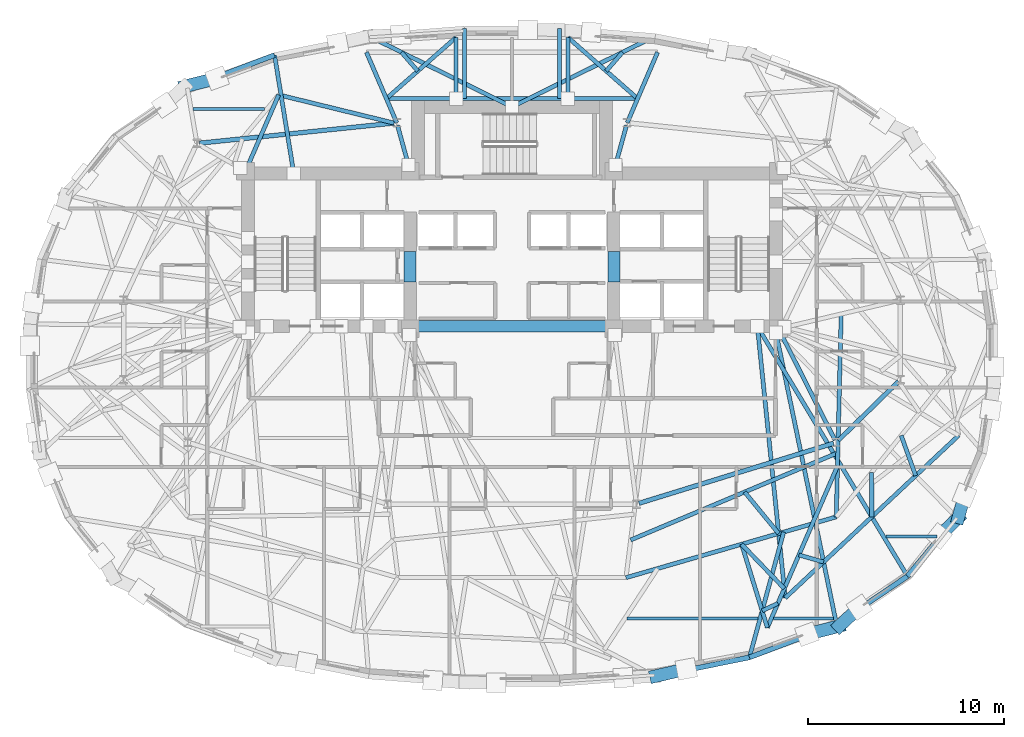
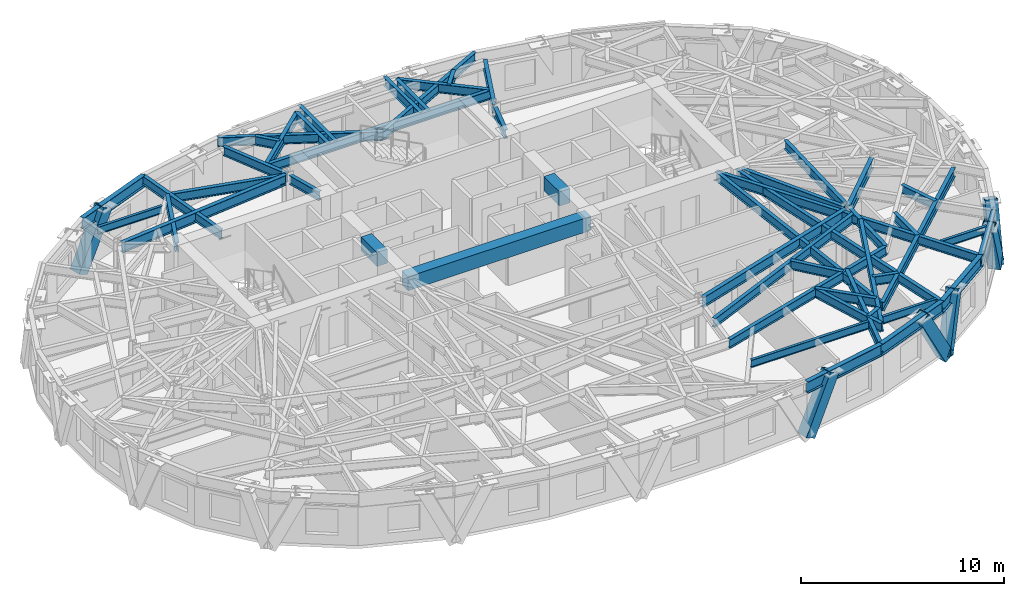
# One storey, part 3 of 15: 50 beams, 6 members.
"""IFC4 building model written with IfcOpenShell, lengths in metres."""

from ifc_helpers import new_model, si_unit, direction, frame, origin, origin_2d, place, context, subcontext, project, spatial, rectangle, hollow_rectangle, i_section, extrude, material, material_profile, profile_set, type_object, element, save


model = new_model("IFC4")

# Units and contexts
model_context = context("Model", 3, precision=1e-05, world=origin(), true_north=direction((0.0, 1.0)))
body_context = subcontext(model_context, "Body", "Model", "MODEL_VIEW")
ifc_project = project(units=[si_unit("LENGTHUNIT", "METRE"), si_unit("AREAUNIT", "SQUARE_METRE"), si_unit("VOLUMEUNIT", "CUBIC_METRE"), si_unit("PLANEANGLEUNIT", "RADIAN"), si_unit("MASSUNIT", "GRAM", prefix="KILO")], contexts=[model_context])

# Site, building, storey
site_placement = place(None, origin())
site = spatial("IfcSite", under=ifc_project, at=site_placement, CompositionType="ELEMENT")
building_placement = place(site_placement, origin())
building = spatial("IfcBuilding", under=site, at=building_placement, Name="Keldmark Tower", CompositionType="ELEMENT")
storey_placement = place(building_placement, frame((0.0, 0.0, 147.0)))
storey = spatial("IfcBuildingStorey", under=building, at=storey_placement, Name="L39", CompositionType="ELEMENT", Elevation=147.0)

# Beams
ifc_material_1 = material(Name="Steel ASTM A992 Grade 50", Category="steel")
ifc_material_profile_1 = material_profile(ifc_material_1, i_section(OverallWidth=0.153076171875, OverallDepth=0.455078125, WebThickness=0.008056640625, FlangeThickness=0.01318359375, at=origin_2d()), Name="W18X40")
ifc_profile_set_1 = profile_set([ifc_material_profile_1], Name="Steel ASTM A992 Grade 50")
beam_type_1 = type_object("IfcBeamType", Name="Composite Floor Joist W18X40", PredefinedType="JOIST", material=ifc_profile_set_1)
beam_1_placement = place(storey_placement, frame((5.8759765625, -13.3798828125, 2.79248046875), z_axis=(1.0, 0.0, 0.0), x_axis=(0.0, 1.0, 0.0)))
element("IfcBeam", 1, at=beam_1_placement, inside=storey, type_object=beam_type_1, Name="L39 Composite Floor Joist J02", PredefinedType="JOIST", context=body_context, shape_type="SweptSolid", body=[
    extrude(i_section(OverallWidth=0.153076171875, OverallDepth=0.455078125, WebThickness=0.008056640625, FlangeThickness=0.01318359375, at=origin_2d()), origin(), (0.0, 0.0, 1.0), 6.68701171875),
])
beam_2_placement = place(storey_placement, frame((13.34326171875, -13.3798828125, 2.79248046875), z_axis=(1.0, 0.0, 0.0), x_axis=(0.0, 1.0, 0.0)))
element("IfcBeam", 2, at=beam_2_placement, inside=storey, type_object=beam_type_1, Name="L39 Composite Floor Joist J03", PredefinedType="JOIST", context=body_context, shape_type="SweptSolid", body=[
    extrude(i_section(OverallWidth=0.153076171875, OverallDepth=0.455078125, WebThickness=0.008056640625, FlangeThickness=0.01318359375, at=origin_2d()), origin(), (0.0, 0.0, 1.0), 3.060302734375),
])
beam_3_placement = place(storey_placement, frame((19.07861328125, -9.199951171875, 2.79248046875), z_axis=(1.0, 0.0, 0.0), x_axis=(0.0, 1.0, 0.0)))
element("IfcBeam", 3, at=beam_3_placement, inside=storey, type_object=beam_type_1, Name="L39 Composite Floor Joist J04", PredefinedType="JOIST", context=body_context, shape_type="SweptSolid", body=[
    extrude(i_section(OverallWidth=0.153076171875, OverallDepth=0.455078125, WebThickness=0.008056640625, FlangeThickness=0.01318359375, at=origin_2d()), origin(), (0.0, 0.0, 1.0), 2.624755859375),
])
beam_4_placement = place(storey_placement, frame((-16.28515625, 12.6201171875, 2.79248046875), z_axis=(1.0, 0.0, 0.0), x_axis=(0.0, 1.0, 0.0)))
element("IfcBeam", 4, at=beam_4_placement, inside=storey, type_object=beam_type_1, Name="L39 Composite Floor Joist J08", PredefinedType="JOIST", context=body_context, shape_type="SweptSolid", body=[
    extrude(i_section(OverallWidth=0.153076171875, OverallDepth=0.455078125, WebThickness=0.008056640625, FlangeThickness=0.01318359375, at=origin_2d()), origin(), (0.0, 0.0, 1.0), 3.6533203125),
])
ifc_material_2 = material(Name="Concrete C50/60", Category="concrete")
ifc_material_profile_2 = material_profile(ifc_material_2, rectangle(XDim=0.60009765625, YDim=0.85009765625, at=origin_2d()), Name="RCB600X850")
ifc_profile_set_2 = profile_set([ifc_material_profile_2], Name="Concrete C50/60")
beam_type_2 = type_object("IfcBeamType", Name="Core Coupling Beam RCB600X850", PredefinedType="USERDEFINED", material=ifc_profile_set_2)
for number, where, z_axis, x_axis, name in (
    (5, (-5.199951171875, 3.800048828125, 2.594970703125), (0.0, 1.0, 0.0), (-1.0, 0.0, 0.0), "L39 West Core Coupling Beam"),
    (6, (5.199951171875, 3.800048828125, 2.594970703125), (0.0, 1.0, 0.0), (-1.0, 0.0, 0.0), "L39 East Core Coupling Beam"),
):
    element("IfcBeam", number, at=place(storey_placement, frame(where, z_axis=z_axis, x_axis=x_axis)), inside=storey, type_object=beam_type_2, Name=name, ObjectType="COUPLING BEAM", PredefinedType="USERDEFINED", context=body_context, shape_type="SweptSolid", body=[
        extrude(rectangle(XDim=0.60009765625, YDim=0.85009765625, at=origin_2d()), origin(), (0.0, 0.0, 1.0), 1.550048828125),
    ])
beam_5_placement = place(storey_placement, frame((-5.199951171875, 1.52490234375, 2.594970703125), z_axis=(1.0, 0.0, 0.0), x_axis=(0.0, 1.0, 0.0)))
element("IfcBeam", 7, at=beam_5_placement, inside=storey, type_object=beam_type_2, Name="L39 Central South Core Coupling Beam", ObjectType="COUPLING BEAM", PredefinedType="USERDEFINED", context=body_context, shape_type="SweptSolid", body=[
    extrude(rectangle(XDim=0.60009765625, YDim=0.85009765625, at=origin_2d()), origin(), (0.0, 0.0, 1.0), 10.39990234375),
])

# Members
ifc_material_3 = material(Name="Steel ASTM A572 Grade 50", Category="steel")
ifc_material_profile_3 = material_profile(ifc_material_3, hollow_rectangle(XDim=0.64990234375, YDim=0.64990234375, WallThickness=0.0400390625, at=origin_2d()), Name="BOX650X650X40")
ifc_profile_set_3 = profile_set([ifc_material_profile_3], Name="Steel ASTM A572 Grade 50")
member_type = type_object("IfcMemberType", Name="Diagrid Zone 3 Brace BOX650X650X40", PredefinedType="BRACE", material=ifc_profile_set_3)
member_1_placement = place(storey_placement, frame((-16.706787109375, 13.769287109375, -0.260009765625), z_axis=(0.460231661127, 0.117352614434, 0.880008626084), x_axis=(-0.247080138115, 0.968995049187, 0.0)))
element("IfcMember", 8, at=member_1_placement, inside=storey, type_object=member_type, Name="L39 Perimeter Diagrid Brace 06A", PredefinedType="BRACE", context=body_context, shape_type="SweptSolid", body=[
    extrude(hollow_rectangle(XDim=0.64990234375, YDim=0.64990234375, WallThickness=0.0400390625, at=origin_2d()), origin(), (0.0, 0.0, 1.0), 3.5908203125),
])
member_2_placement = place(storey_placement, frame((7.316162109375, -16.32958984375, -0.260009765625), z_axis=(0.445328410974, 0.103619077881, 0.889351276537), x_axis=(-0.226626224402, 0.973981803944, 0.0)))
element("IfcMember", 9, at=member_2_placement, inside=storey, type_object=member_type, Name="L39 Perimeter Diagrid Brace 13B", PredefinedType="BRACE", context=body_context, shape_type="SweptSolid", body=[
    extrude(hollow_rectangle(XDim=0.64990234375, YDim=0.64990234375, WallThickness=0.0400390625, at=origin_2d()), origin(), (0.0, 0.0, 1.0), 3.552978515625),
])
member_3_placement = place(storey_placement, frame((16.706787109375, -13.769287109375, -0.260009765625), z_axis=(-0.460231661127, -0.117352614434, 0.880008626084), x_axis=(0.247080138115, -0.968995049187, 0.0)))
element("IfcMember", 10, at=member_3_placement, inside=storey, type_object=member_type, Name="L39 Perimeter Diagrid Brace 14A", PredefinedType="BRACE", context=body_context, shape_type="SweptSolid", body=[
    extrude(hollow_rectangle(XDim=0.64990234375, YDim=0.64990234375, WallThickness=0.0400390625, at=origin_2d()), origin(), (0.0, 0.0, 1.0), 3.5908203125),
])
member_4_placement = place(storey_placement, frame((16.697021484375, -13.77587890625, -0.260009765625), z_axis=(0.299184328214, 0.277103523043, 0.913073039394), x_axis=(-0.679514962845, 0.733661649039, 0.0)))
element("IfcMember", 11, at=member_4_placement, inside=storey, type_object=member_type, Name="L39 Perimeter Diagrid Brace 14B", PredefinedType="BRACE", context=body_context, shape_type="SweptSolid", body=[
    extrude(hollow_rectangle(XDim=0.64990234375, YDim=0.64990234375, WallThickness=0.0400390625, at=origin_2d()), origin(), (0.0, 0.0, 1.0), 3.460693359375),
])
member_5_placement = place(storey_placement, frame((22.7861328125, -8.234375, -0.260009765625), z_axis=(-0.287259536815, -0.274853214272, 0.91757161525), x_axis=(0.691331951353, -0.722537288337, 0.0)))
element("IfcMember", 12, at=member_5_placement, inside=storey, type_object=member_type, Name="L39 Perimeter Diagrid Brace 15A", PredefinedType="BRACE", context=body_context, shape_type="SweptSolid", body=[
    extrude(hollow_rectangle(XDim=0.64990234375, YDim=0.64990234375, WallThickness=0.0400390625, at=origin_2d()), origin(), (0.0, 0.0, 1.0), 3.44384765625),
])
member_6_placement = place(storey_placement, frame((22.779541015625, -8.244140625, -0.260009765625), z_axis=(0.094890003836, 0.338696560948, 0.936098566805), x_axis=(-0.962923433735, 0.269774833453, 0.0)))
element("IfcMember", 13, at=member_6_placement, inside=storey, type_object=member_type, Name="L39 Perimeter Diagrid Brace 15B", PredefinedType="BRACE", context=body_context, shape_type="SweptSolid", body=[
    extrude(hollow_rectangle(XDim=0.64990234375, YDim=0.64990234375, WallThickness=0.0400390625, at=origin_2d()), origin(), (0.0, 0.0, 1.0), 3.375732421875),
])

# Beams
ifc_material_4 = material(Name="Steel ASTM A992 Grade 50", Category="steel")
ifc_material_profile_4 = material_profile(ifc_material_4, i_section(OverallWidth=0.22900390625, OverallDepth=0.612060546875, WebThickness=0.011962890625, FlangeThickness=0.01953125, at=origin_2d()), Name="W24X84")
ifc_profile_set_4 = profile_set([ifc_material_profile_4], Name="Steel ASTM A992 Grade 50")
beam_type_3 = type_object("IfcBeamType", Name="Primary Floor Girder W24X84", PredefinedType="BEAM", material=ifc_profile_set_4)
beam_6_placement = place(storey_placement, frame((-6.01953125, 11.90087890625, 2.714111328125), z_axis=(-0.994702930931, -0.102791435423, 0.0), x_axis=(0.102791435423, -0.994702930931, 0.0)))
element("IfcBeam", 14, at=beam_6_placement, inside=storey, type_object=beam_type_3, Name="L39 Floor Ring Girder FG-R04", PredefinedType="BEAM", context=body_context, shape_type="SweptSolid", body=[
    extrude(i_section(OverallWidth=0.22900390625, OverallDepth=0.612060546875, WebThickness=0.011962890625, FlangeThickness=0.01953125, at=origin_2d()), origin(), (0.0, 0.0, 1.0), 9.975341796875),
])
beam_7_placement = place(storey_placement, frame((6.485107421875, -7.5048828125, 2.714111328125), z_axis=(0.955494563145, 0.295008711398, 0.0), x_axis=(-0.295008711398, 0.955494563145, 0.0)))
element("IfcBeam", 15, at=beam_7_placement, inside=storey, type_object=beam_type_3, Name="L39 Floor Ring Girder FG-R10", PredefinedType="BEAM", context=body_context, shape_type="SweptSolid", body=[
    extrude(i_section(OverallWidth=0.22900390625, OverallDepth=0.612060546875, WebThickness=0.011962890625, FlangeThickness=0.01953125, at=origin_2d()), origin(), (0.0, 0.0, 1.0), 10.39013671875),
])
beam_8_placement = place(storey_placement, frame((16.646728515625, -4.300537109375, 2.714111328125), z_axis=(0.714964509815, 0.699160746684, 0.0), x_axis=(-0.699160746684, 0.714964509815, 0.0)))
element("IfcBeam", 16, at=beam_8_placement, inside=storey, type_object=beam_type_3, Name="L39 Floor Ring Girder FG-R11", PredefinedType="BEAM", context=body_context, shape_type="SweptSolid", body=[
    extrude(i_section(OverallWidth=0.22900390625, OverallDepth=0.612060546875, WebThickness=0.011962890625, FlangeThickness=0.01953125, at=origin_2d()), origin(), (0.0, 0.0, 1.0), 4.31005859375),
])
ifc_material_5 = material(Name="Steel ASTM A992 Grade 50", Category="steel")
ifc_material_profile_5 = material_profile(ifc_material_5, i_section(OverallWidth=0.2099609375, OverallDepth=0.537109375, WebThickness=0.010986328125, FlangeThickness=0.017333984375, at=origin_2d()), Name="W21X68")
ifc_profile_set_5 = profile_set([ifc_material_profile_5], Name="Steel ASTM A992 Grade 50")
beam_type_4 = type_object("IfcBeamType", Name="Radial Tie Girder W21X68", PredefinedType="BEAM", material=ifc_profile_set_5)
for number, where, z_axis, x_axis, name in (
    (17, (5.843017578125, 11.7802734375, 2.75146484375), (-0.265992411, -0.963975122755, 0.0), (0.963975122755, -0.265992411, 0.0), "L39 Floor Radial Girder FG-C03"),
    (18, (-5.843017578125, 11.7802734375, 2.75146484375), (0.265992411, -0.963975122755, 0.0), (0.963975122755, 0.265992411, 0.0), "L39 Floor Radial Girder FG-C04"),
):
    element("IfcBeam", number, at=place(storey_placement, frame(where, z_axis=z_axis, x_axis=x_axis)), inside=storey, type_object=beam_type_4, Name=name, PredefinedType="BEAM", context=body_context, shape_type="SweptSolid", body=[
        extrude(i_section(OverallWidth=0.2099609375, OverallDepth=0.537109375, WebThickness=0.010986328125, FlangeThickness=0.017333984375, at=origin_2d()), origin(), (0.0, 0.0, 1.0), 2.09716796875),
    ])
beam_9_placement = place(storey_placement, frame((16.4833984375, -4.273681640625, 2.75146484375), z_axis=(-0.453036691775, 0.891491870914, 0.0), x_axis=(-0.891491870914, -0.453036691775, 0.0)))
element("IfcBeam", 19, at=beam_9_placement, inside=storey, type_object=beam_type_4, Name="L39 Floor Radial Girder FG-C11", PredefinedType="BEAM", context=body_context, shape_type="SweptSolid", body=[
    extrude(i_section(OverallWidth=0.2099609375, OverallDepth=0.537109375, WebThickness=0.010986328125, FlangeThickness=0.017333984375, at=origin_2d()), origin(), (0.0, 0.0, 1.0), 6.044189453125),
])
beam_10_placement = place(storey_placement, frame((6.05908203125, -9.3779296875, 2.75146484375), z_axis=(0.921608526623, 0.388120759116, 0.0), x_axis=(-0.388120759116, 0.921608526623, 0.0)))
element("IfcBeam", 20, at=beam_10_placement, inside=storey, type_object=beam_type_4, Name="L39 Framing Pin Header PH-007", PredefinedType="BEAM", context=body_context, shape_type="SweptSolid", body=[
    extrude(i_section(OverallWidth=0.2099609375, OverallDepth=0.537109375, WebThickness=0.010986328125, FlangeThickness=0.017333984375, at=origin_2d()), origin(), (0.0, 0.0, 1.0), 11.46923828125),
])
beam_11_placement = place(storey_placement, frame((16.8017578125, 2.1552734375, 2.75146484375), z_axis=(-0.024350814441, -0.999703474954, 0.0), x_axis=(0.999703474954, -0.024350814441, 0.0)))
element("IfcBeam", 21, at=beam_11_placement, inside=storey, type_object=beam_type_4, Name="L39 Sub-Ring Step Girder STP1-M11", PredefinedType="BEAM", context=body_context, shape_type="SweptSolid", body=[
    extrude(i_section(OverallWidth=0.2099609375, OverallDepth=0.537109375, WebThickness=0.010986328125, FlangeThickness=0.017333984375, at=origin_2d()), origin(), (0.0, 0.0, 1.0), 10.35693359375),
])
beam_12_placement = place(storey_placement, frame((5.818115234375, -11.302001953125, 2.75146484375), z_axis=(0.960634893844, 0.277813967844, 0.0), x_axis=(-0.277813967844, 0.960634893844, 0.0)))
element("IfcBeam", 22, at=beam_12_placement, inside=storey, type_object=beam_type_4, Name="L39 Perimeter Collector Ring Beam CRG1-M10", PredefinedType="BEAM", context=body_context, shape_type="SweptSolid", body=[
    extrude(i_section(OverallWidth=0.2099609375, OverallDepth=0.537109375, WebThickness=0.010986328125, FlangeThickness=0.017333984375, at=origin_2d()), origin(), (0.0, 0.0, 1.0), 11.171142578125),
])
beam_13_placement = place(storey_placement, frame((11.872802734375, -6.9296875, 2.75146484375), z_axis=(0.634144576481, -0.773214495544, 0.0), x_axis=(0.773214495544, 0.634144576481, 0.0)))
element("IfcBeam", 23, at=beam_13_placement, inside=storey, type_object=beam_type_4, Name="L39 Framing Pin Header PH-013", PredefinedType="BEAM", context=body_context, shape_type="SweptSolid", body=[
    extrude(i_section(OverallWidth=0.2099609375, OverallDepth=0.537109375, WebThickness=0.010986328125, FlangeThickness=0.017333984375, at=origin_2d()), origin(), (0.0, 0.0, 1.0), 2.740478515625),
])
beam_14_placement = place(storey_placement, frame((12.52490234375, 1.52490234375, 2.75146484375), z_axis=(0.1021475881, -0.994769254775, 0.0), x_axis=(0.994769254775, 0.1021475881, 0.0)))
element("IfcBeam", 24, at=beam_14_placement, inside=storey, type_object=beam_type_4, Name="L39 Sub-Ring Step Girder STP2-M11", PredefinedType="BEAM", context=body_context, shape_type="SweptSolid", body=[
    extrude(i_section(OverallWidth=0.2099609375, OverallDepth=0.537109375, WebThickness=0.010986328125, FlangeThickness=0.017333984375, at=origin_2d()), origin(), (0.0, 0.0, 1.0), 13.931640625),
])
beam_15_placement = place(storey_placement, frame((13.947998046875, -12.333984375, 2.75146484375), z_axis=(0.729734316449, 0.683730815012, 0.0), x_axis=(-0.683730815012, 0.729734316449, 0.0)))
element("IfcBeam", 25, at=beam_15_placement, inside=storey, type_object=beam_type_4, Name="L39 Perimeter Collector Ring Beam CRG2-M11", PredefinedType="BEAM", context=body_context, shape_type="SweptSolid", body=[
    extrude(i_section(OverallWidth=0.2099609375, OverallDepth=0.537109375, WebThickness=0.010986328125, FlangeThickness=0.017333984375, at=origin_2d()), origin(), (0.0, 0.0, 1.0), 12.12646484375),
])
beam_16_placement = place(storey_placement, frame((-13.60009765625, 9.449951171875, 2.75146484375), z_axis=(0.398435717591, 0.917196259776, 0.0), x_axis=(-0.917196259776, 0.398435717591, 0.0)))
element("IfcBeam", 26, at=beam_16_placement, inside=storey, type_object=beam_type_4, Name="L39 Local Collector Chord RT-11C", PredefinedType="BEAM", context=body_context, shape_type="SweptSolid", body=[
    extrude(i_section(OverallWidth=0.2099609375, OverallDepth=0.537109375, WebThickness=0.010986328125, FlangeThickness=0.017333984375, at=origin_2d()), origin(), (0.0, 0.0, 1.0), 4.24267578125),
])
beam_17_placement = place(storey_placement, frame((11.720458984375, -9.59521484375, 2.75146484375), z_axis=(0.693534149689, -0.720423752534, 0.0), x_axis=(0.720423752534, 0.693534149689, 0.0)))
element("IfcBeam", 27, at=beam_17_placement, inside=storey, type_object=beam_type_4, Name="L39 Framing Pin Header PH-036", PredefinedType="BEAM", context=body_context, shape_type="SweptSolid", body=[
    extrude(i_section(OverallWidth=0.2099609375, OverallDepth=0.537109375, WebThickness=0.010986328125, FlangeThickness=0.017333984375, at=origin_2d()), origin(), (0.0, 0.0, 1.0), 3.141357421875),
])
beam_18_placement = place(storey_placement, frame((16.612548828125, -5.610107421875, 2.75146484375), z_axis=(-0.398348514109, -0.91723413658, 0.0), x_axis=(0.91723413658, -0.398348514109, 0.0)))
element("IfcBeam", 28, at=beam_18_placement, inside=storey, type_object=beam_type_4, Name="L39 Intermediate Radial Step Girder RT-27M", PredefinedType="BEAM", context=body_context, shape_type="SweptSolid", body=[
    extrude(i_section(OverallWidth=0.2099609375, OverallDepth=0.537109375, WebThickness=0.010986328125, FlangeThickness=0.017333984375, at=origin_2d()), origin(), (0.0, 0.0, 1.0), 8.98486328125),
])
beam_19_placement = place(storey_placement, frame((11.720458984375, -9.59521484375, 2.75146484375), z_axis=(0.294786789449, -0.955563053266, 0.0), x_axis=(0.955563053266, 0.294786789449, 0.0)))
element("IfcBeam", 29, at=beam_19_placement, inside=storey, type_object=beam_type_4, Name="L39 Local Collector Chord RT-27C", PredefinedType="BEAM", context=body_context, shape_type="SweptSolid", body=[
    extrude(i_section(OverallWidth=0.2099609375, OverallDepth=0.537109375, WebThickness=0.010986328125, FlangeThickness=0.017333984375, at=origin_2d()), origin(), (0.0, 0.0, 1.0), 4.4541015625),
])
beam_20_placement = place(storey_placement, frame((13.5703125, -12.615234375, 2.75146484375), z_axis=(-0.904862408632, -0.425704147788, 0.0), x_axis=(0.425704147788, -0.904862408632, 0.0)))
element("IfcBeam", 30, at=beam_20_placement, inside=storey, type_object=beam_type_4, Name="L39 Framing Pin Header PH-037", PredefinedType="BEAM", context=body_context, shape_type="SweptSolid", body=[
    extrude(i_section(OverallWidth=0.2099609375, OverallDepth=0.537109375, WebThickness=0.010986328125, FlangeThickness=0.017333984375, at=origin_2d()), origin(), (0.0, 0.0, 1.0), 0.885986328125),
])
beam_21_placement = place(storey_placement, frame((13.86669921875, -8.974365234375, 2.75146484375), z_axis=(-0.263622210807, -0.964626005232, 0.0), x_axis=(0.964626005232, -0.263622210807, 0.0)))
element("IfcBeam", 31, at=beam_21_placement, inside=storey, type_object=beam_type_4, Name="L39 Perimeter Radial Tie Girder RT-27", PredefinedType="BEAM", context=body_context, shape_type="SweptSolid", body=[
    extrude(i_section(OverallWidth=0.2099609375, OverallDepth=0.537109375, WebThickness=0.010986328125, FlangeThickness=0.017333984375, at=origin_2d()), origin(), (0.0, 0.0, 1.0), 6.62890625),
])
beam_22_placement = place(storey_placement, frame((14.64404296875, -10.142822265625, 2.75146484375), z_axis=(0.961846788201, -0.273588662096, 0.0), x_axis=(0.273588662096, 0.961846788201, 0.0)))
element("IfcBeam", 32, at=beam_22_placement, inside=storey, type_object=beam_type_4, Name="L39 Framing Pin Header PH-038", PredefinedType="BEAM", context=body_context, shape_type="SweptSolid", body=[
    extrude(i_section(OverallWidth=0.2099609375, OverallDepth=0.537109375, WebThickness=0.010986328125, FlangeThickness=0.017333984375, at=origin_2d()), origin(), (0.0, 0.0, 1.0), 1.31005859375),
])
beam_23_placement = place(storey_placement, frame((13.47509765625, 1.199951171875, 2.75146484375), z_axis=(0.20325626548, -0.979125574451, 0.0), x_axis=(0.979125574451, 0.20325626548, 0.0)))
element("IfcBeam", 33, at=beam_23_placement, inside=storey, type_object=beam_type_4, Name="L39 Perimeter Radial Tie Girder RT-28", PredefinedType="BEAM", context=body_context, shape_type="SweptSolid", body=[
    extrude(i_section(OverallWidth=0.2099609375, OverallDepth=0.537109375, WebThickness=0.010986328125, FlangeThickness=0.017333984375, at=origin_2d()), origin(), (0.0, 0.0, 1.0), 15.197998046875),
])
beam_24_placement = place(storey_placement, frame((18.357421875, -5.93359375, 2.75146484375), z_axis=(0.002588708832, -0.999996649288, 0.0), x_axis=(0.999996649288, 0.002588708832, 0.0)))
element("IfcBeam", 34, at=beam_24_placement, inside=storey, type_object=beam_type_4, Name="L39 Framing Pin Header PH-039", PredefinedType="BEAM", context=body_context, shape_type="SweptSolid", body=[
    extrude(i_section(OverallWidth=0.2099609375, OverallDepth=0.537109375, WebThickness=0.010986328125, FlangeThickness=0.017333984375, at=origin_2d()), origin(), (0.0, 0.0, 1.0), 2.263427734375),
])
beam_25_placement = place(storey_placement, frame((12.52490234375, 1.52490234375, 2.75146484375), z_axis=(0.514833613266, -0.857290120468, 0.0), x_axis=(0.857290120468, 0.514833613266, 0.0)))
element("IfcBeam", 35, at=beam_25_placement, inside=storey, type_object=beam_type_4, Name="L39 Perimeter Radial Tie Girder RT-29", PredefinedType="BEAM", context=body_context, shape_type="SweptSolid", body=[
    extrude(i_section(OverallWidth=0.2099609375, OverallDepth=0.537109375, WebThickness=0.010986328125, FlangeThickness=0.017333984375, at=origin_2d()), origin(), (0.0, 0.0, 1.0), 14.87548828125),
])
beam_26_placement = place(storey_placement, frame((19.8642578125, -4.04638671875, 2.75146484375), z_axis=(0.339512381805, -0.940601585476, 0.0), x_axis=(0.940601585476, 0.339512381805, 0.0)))
element("IfcBeam", 36, at=beam_26_placement, inside=storey, type_object=beam_type_4, Name="L39 Framing Pin Header PH-040", PredefinedType="BEAM", context=body_context, shape_type="SweptSolid", body=[
    extrude(i_section(OverallWidth=0.2099609375, OverallDepth=0.537109375, WebThickness=0.010986328125, FlangeThickness=0.017333984375, at=origin_2d()), origin(), (0.0, 0.0, 1.0), 2.18017578125),
])
for number, where, z_axis, x_axis, name in (
    (37, (-5.880126953125, 11.915283203125, 2.75146484375), (-0.395414566393, 0.918502760303, 0.0), (-0.918502760303, -0.395414566393, 0.0), "L39 North Column Cantilever Girder West FG-TCN-W"),
    (38, (5.880126953125, 11.915283203125, 2.75146484375), (0.395414566393, 0.918502760303, 0.0), (-0.918502760303, 0.395414566393, 0.0), "L39 North Column Cantilever Girder East FG-TCN-E"),
):
    element("IfcBeam", number, at=place(storey_placement, frame(where, z_axis=z_axis, x_axis=x_axis)), inside=storey, type_object=beam_type_4, Name=name, PredefinedType="BEAM", context=body_context, shape_type="SweptSolid", body=[
        extrude(i_section(OverallWidth=0.2099609375, OverallDepth=0.537109375, WebThickness=0.010986328125, FlangeThickness=0.017333984375, at=origin_2d()), origin(), (0.0, 0.0, 1.0), 3.920166015625),
    ])
beam_27_placement = place(storey_placement, frame((-6.41162109375, 13.14990234375, 2.75146484375), z_axis=(1.0, 0.0, 0.0), x_axis=(0.0, 1.0, 0.0)))
element("IfcBeam", 39, at=beam_27_placement, inside=storey, type_object=beam_type_4, Name="L39 North Inner Header Girder FG-TCN-H0", PredefinedType="BEAM", context=body_context, shape_type="SweptSolid", body=[
    extrude(i_section(OverallWidth=0.2099609375, OverallDepth=0.537109375, WebThickness=0.010986328125, FlangeThickness=0.017333984375, at=origin_2d()), origin(), (0.0, 0.0, 1.0), 12.8232421875),
])
for number, where, z_axis, x_axis, name in (
    (40, (-2.85009765625, 13.14990234375, 2.75146484375), (0.0, 1.0, 0.0), (-1.0, 0.0, 0.0), "L39 North Step Cantilever Girder West FG-TCN-W2"),
    (41, (2.85009765625, 13.14990234375, 2.75146484375), (0.0, 1.0, 0.0), (-1.0, 0.0, 0.0), "L39 North Step Cantilever Girder East FG-TCN-E2"),
):
    element("IfcBeam", number, at=place(storey_placement, frame(where, z_axis=z_axis, x_axis=x_axis)), inside=storey, type_object=beam_type_4, Name=name, PredefinedType="BEAM", context=body_context, shape_type="SweptSolid", body=[
        extrude(i_section(OverallWidth=0.2099609375, OverallDepth=0.537109375, WebThickness=0.010986328125, FlangeThickness=0.017333984375, at=origin_2d()), origin(), (0.0, 0.0, 1.0), 3.126708984375),
    ])
for number, where, z_axis, x_axis, name in (
    (42, (2.430419921875, 13.14990234375, 2.75146484375), (0.0, 1.0, 0.0), (-1.0, 0.0, 0.0), "L39 North Continuous Radial Girder RT-08N"),
    (43, (-2.430419921875, 13.14990234375, 2.75146484375), (0.0, 1.0, 0.0), (-1.0, 0.0, 0.0), "L39 North Continuous Radial Girder RT-09N"),
):
    element("IfcBeam", number, at=place(storey_placement, frame(where, z_axis=z_axis, x_axis=x_axis)), inside=storey, type_object=beam_type_4, Name=name, PredefinedType="BEAM", context=body_context, shape_type="SweptSolid", body=[
        extrude(i_section(OverallWidth=0.2099609375, OverallDepth=0.537109375, WebThickness=0.010986328125, FlangeThickness=0.017333984375, at=origin_2d()), origin(), (0.0, 0.0, 1.0), 3.57666015625),
    ])
beam_28_placement = place(storey_placement, frame((6.41162109375, 13.14990234375, 2.75146484375), z_axis=(-0.751490681608, 0.65974370437, 0.0), x_axis=(-0.65974370437, -0.751490681608, 0.0)))
element("IfcBeam", 44, at=beam_28_placement, inside=storey, type_object=beam_type_4, Name="L39 Straddling Support Chord RT-07RB", PredefinedType="BEAM", context=body_context, shape_type="SweptSolid", body=[
    extrude(i_section(OverallWidth=0.2099609375, OverallDepth=0.537109375, WebThickness=0.010986328125, FlangeThickness=0.017333984375, at=origin_2d()), origin(), (0.0, 0.0, 1.0), 4.7392578125),
])
beam_29_placement = place(storey_placement, frame((4.808837890625, 14.556884765625, 2.75146484375), z_axis=(0.655230680036, 0.755428855644, 0.0), x_axis=(-0.755428855644, 0.655230680036, 0.0)))
element("IfcBeam", 45, at=beam_29_placement, inside=storey, type_object=beam_type_4, Name="L39 Framing Pin Header PH-042", PredefinedType="BEAM", context=body_context, shape_type="SweptSolid", body=[
    extrude(i_section(OverallWidth=0.2099609375, OverallDepth=0.537109375, WebThickness=0.010986328125, FlangeThickness=0.017333984375, at=origin_2d()), origin(), (0.0, 0.0, 1.0), 1.26953125),
])
beam_30_placement = place(storey_placement, frame((0.0, 12.72509765625, 2.75146484375), z_axis=(0.896292170557, 0.443464028979, 0.0), x_axis=(-0.443464028979, 0.896292170557, 0.0)))
element("IfcBeam", 46, at=beam_30_placement, inside=storey, type_object=beam_type_4, Name="L39 Perimeter Radial Tie Girder RT-07R", PredefinedType="BEAM", context=body_context, shape_type="SweptSolid", body=[
    extrude(i_section(OverallWidth=0.2099609375, OverallDepth=0.537109375, WebThickness=0.010986328125, FlangeThickness=0.017333984375, at=origin_2d()), origin(), (0.0, 0.0, 1.0), 8.160400390625),
])
beam_31_placement = place(storey_placement, frame((-2.85009765625, 16.276611328125, 2.75146484375), z_axis=(-0.751490681608, -0.65974370437, 0.0), x_axis=(0.65974370437, -0.751490681608, 0.0)))
element("IfcBeam", 47, at=beam_31_placement, inside=storey, type_object=beam_type_4, Name="L39 Straddling Support Chord RT-10RB", PredefinedType="BEAM", context=body_context, shape_type="SweptSolid", body=[
    extrude(i_section(OverallWidth=0.2099609375, OverallDepth=0.537109375, WebThickness=0.010986328125, FlangeThickness=0.017333984375, at=origin_2d()), origin(), (0.0, 0.0, 1.0), 4.7392578125),
])
beam_32_placement = place(storey_placement, frame((-4.808837890625, 14.556884765625, 2.75146484375), z_axis=(-0.655230680036, 0.755428855644, 0.0), x_axis=(-0.755428855644, -0.655230680036, 0.0)))
element("IfcBeam", 48, at=beam_32_placement, inside=storey, type_object=beam_type_4, Name="L39 Framing Pin Header PH-043", PredefinedType="BEAM", context=body_context, shape_type="SweptSolid", body=[
    extrude(i_section(OverallWidth=0.2099609375, OverallDepth=0.537109375, WebThickness=0.010986328125, FlangeThickness=0.017333984375, at=origin_2d()), origin(), (0.0, 0.0, 1.0), 1.26953125),
])
beam_33_placement = place(storey_placement, frame((0.0, 12.72509765625, 2.75146484375), z_axis=(-0.896292170557, 0.443464028979, 0.0), x_axis=(-0.443464028979, -0.896292170557, 0.0)))
element("IfcBeam", 49, at=beam_33_placement, inside=storey, type_object=beam_type_4, Name="L39 Perimeter Radial Tie Girder RT-10R", PredefinedType="BEAM", context=body_context, shape_type="SweptSolid", body=[
    extrude(i_section(OverallWidth=0.2099609375, OverallDepth=0.537109375, WebThickness=0.010986328125, FlangeThickness=0.017333984375, at=origin_2d()), origin(), (0.0, 0.0, 1.0), 8.160400390625),
])
beam_34_placement = place(storey_placement, frame((-6.01953125, 11.90087890625, 2.75146484375), z_axis=(-0.971375474562, 0.237549336812, 0.0), x_axis=(-0.237549336812, -0.971375474562, 0.0)))
element("IfcBeam", 50, at=beam_34_placement, inside=storey, type_object=beam_type_4, Name="L39 Straddling Support Chord RT-11RB", PredefinedType="BEAM", context=body_context, shape_type="SweptSolid", body=[
    extrude(i_section(OverallWidth=0.2099609375, OverallDepth=0.537109375, WebThickness=0.010986328125, FlangeThickness=0.017333984375, at=origin_2d()), origin(), (0.0, 0.0, 1.0), 6.063720703125),
])
beam_35_placement = place(storey_placement, frame((-11.1357421875, 9.324951171875, 2.75146484375), z_axis=(-0.160596113758, 0.987020206605, 0.0), x_axis=(-0.987020206605, -0.160596113758, 0.0)))
element("IfcBeam", 51, at=beam_35_placement, inside=storey, type_object=beam_type_4, Name="L39 Perimeter Radial Tie Girder RT-11R", PredefinedType="BEAM", context=body_context, shape_type="SweptSolid", body=[
    extrude(i_section(OverallWidth=0.2099609375, OverallDepth=0.537109375, WebThickness=0.010986328125, FlangeThickness=0.017333984375, at=origin_2d()), origin(), (0.0, 0.0, 1.0), 6.12353515625),
])
ifc_material_6 = material(Name="Steel ASTM A992 Grade 50", Category="steel")
ifc_material_profile_6 = material_profile(ifc_material_6, i_section(OverallWidth=0.256103515625, OverallDepth=0.693115234375, WebThickness=0.014404296875, FlangeThickness=0.023681640625, at=origin_2d()), Name="W27X114")
ifc_profile_set_6 = profile_set([ifc_material_profile_6], Name="Steel ASTM A992 Grade 50")
beam_type_5 = type_object("IfcBeamType", Name="Spandrel Ring Beam W27X114", PredefinedType="SPANDREL", material=ifc_profile_set_6)
beam_36_placement = place(storey_placement, frame((-12.119140625, 15.368896484375, 2.673583984375), z_axis=(-0.93486300855, -0.355008669254, 0.0), x_axis=(0.355008669254, -0.93486300855, 0.0)))
element("IfcBeam", 52, at=beam_36_placement, inside=storey, type_object=beam_type_5, Name="L39 Perimeter Spandrel Ring Beam SRB-11", PredefinedType="SPANDREL", context=body_context, shape_type="SweptSolid", body=[
    extrude(i_section(OverallWidth=0.256103515625, OverallDepth=0.693115234375, WebThickness=0.014404296875, FlangeThickness=0.023681640625, at=origin_2d()), origin(), (0.0, 0.0, 1.0), 4.7548828125),
])
beam_37_placement = place(storey_placement, frame((7.314208984375, -16.343994140625, 2.673583984375), z_axis=(0.980023275358, 0.198882829215, 0.0), x_axis=(-0.198882829215, 0.980023275358, 0.0)))
element("IfcBeam", 53, at=beam_37_placement, inside=storey, type_object=beam_type_5, Name="L39 Perimeter Spandrel Ring Beam SRB-26", PredefinedType="SPANDREL", context=body_context, shape_type="SweptSolid", body=[
    extrude(i_section(OverallWidth=0.256103515625, OverallDepth=0.693115234375, WebThickness=0.014404296875, FlangeThickness=0.023681640625, at=origin_2d()), origin(), (0.0, 0.0, 1.0), 4.90283203125),
])
beam_38_placement = place(storey_placement, frame((12.119140625, -15.368896484375, 2.673583984375), z_axis=(0.93486300855, 0.355008669254, 0.0), x_axis=(-0.355008669254, 0.93486300855, 0.0)))
element("IfcBeam", 54, at=beam_38_placement, inside=storey, type_object=beam_type_5, Name="L39 Perimeter Spandrel Ring Beam SRB-27", PredefinedType="SPANDREL", context=body_context, shape_type="SweptSolid", body=[
    extrude(i_section(OverallWidth=0.256103515625, OverallDepth=0.693115234375, WebThickness=0.014404296875, FlangeThickness=0.023681640625, at=origin_2d()), origin(), (0.0, 0.0, 1.0), 4.7548828125),
])
beam_39_placement = place(storey_placement, frame((16.564208984375, -13.680908203125, 2.673583984375), z_axis=(0.827764762149, 0.561075305591, 0.0), x_axis=(-0.561075305591, 0.827764762149, 0.0)))
element("IfcBeam", 55, at=beam_39_placement, inside=storey, type_object=beam_type_5, Name="L39 Perimeter Spandrel Ring Beam SRB-28", PredefinedType="SPANDREL", context=body_context, shape_type="SweptSolid", body=[
    extrude(i_section(OverallWidth=0.256103515625, OverallDepth=0.693115234375, WebThickness=0.014404296875, FlangeThickness=0.023681640625, at=origin_2d()), origin(), (0.0, 0.0, 1.0), 4.3720703125),
])
beam_40_placement = place(storey_placement, frame((20.183349609375, -11.227783203125, 2.673583984375), z_axis=(0.637039621307, 0.770831058589, 0.0), x_axis=(-0.770831058589, 0.637039621307, 0.0)))
element("IfcBeam", 56, at=beam_40_placement, inside=storey, type_object=beam_type_5, Name="L39 Perimeter Spandrel Ring Beam SRB-29", PredefinedType="SPANDREL", context=body_context, shape_type="SweptSolid", body=[
    extrude(i_section(OverallWidth=0.256103515625, OverallDepth=0.693115234375, WebThickness=0.014404296875, FlangeThickness=0.023681640625, at=origin_2d()), origin(), (0.0, 0.0, 1.0), 3.90869140625),
])

save(model, "model.ifc")
